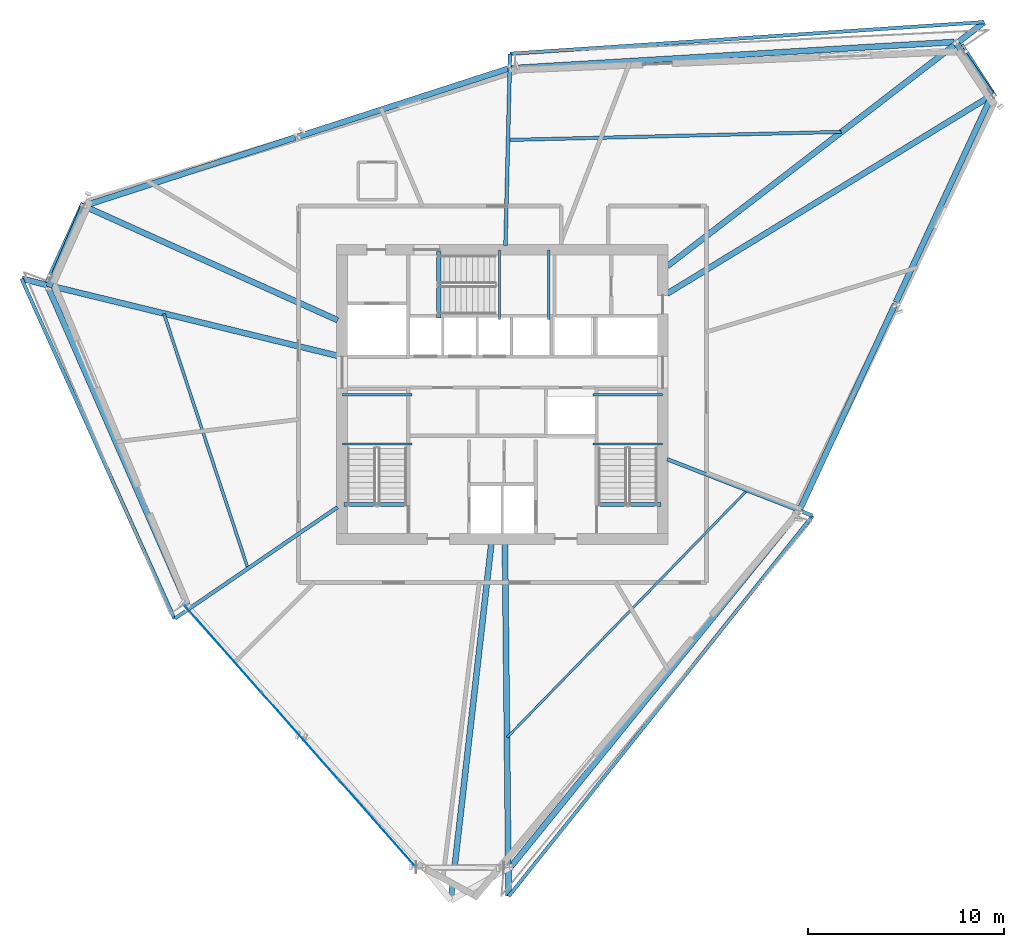
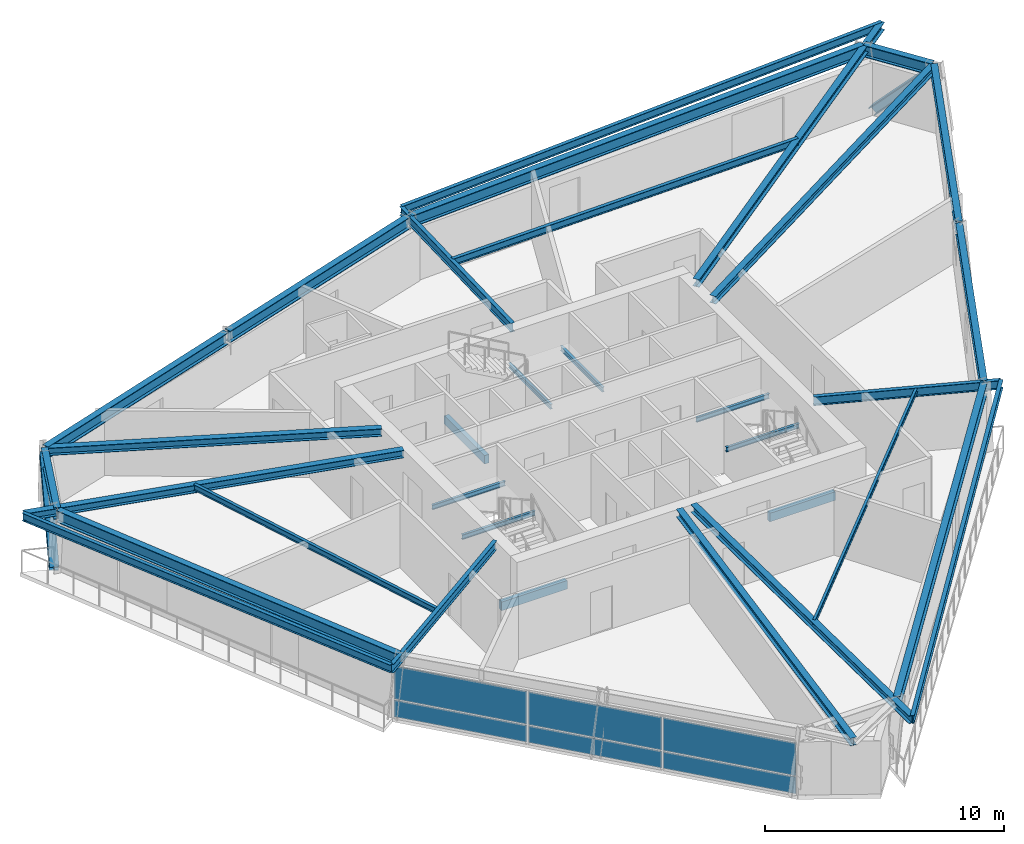
# One storey, part 4 of 13: 33 beams, 6 plates, 2 members, 1 element without a shape of its own.
"""IFC4 building model written with IfcOpenShell, lengths in metres."""

from ifc_helpers import new_model, si_unit, direction, frame, origin, origin_2d, place, context, subcontext, project, spatial, rectangle, i_section, extrude, source, transform, mapped, material, material_profile, profile_set, type_object, element, aggregate, save


model = new_model("IFC4")

# Units and contexts
model_context = context("Model", 3, precision=1e-05, world=origin(), true_north=direction((0.0, 1.0)))
body_context = subcontext(model_context, "Body", "Model", "MODEL_VIEW")
ifc_project = project(units=[si_unit("LENGTHUNIT", "METRE"), si_unit("AREAUNIT", "SQUARE_METRE"), si_unit("VOLUMEUNIT", "CUBIC_METRE"), si_unit("PLANEANGLEUNIT", "RADIAN"), si_unit("MASSUNIT", "GRAM", prefix="KILO")], contexts=[model_context])

# Site, building, storey
site_placement = place(None, origin())
site = spatial("IfcSite", under=ifc_project, at=site_placement, CompositionType="ELEMENT")
building_placement = place(site_placement, origin())
building = spatial("IfcBuilding", under=site, at=building_placement, Name="Olszyna Solenne Hotel", CompositionType="ELEMENT")
storey_placement = place(building_placement, frame((0.0, 0.0, 171.449951171875)))
storey = spatial("IfcBuildingStorey", under=building, at=storey_placement, Name="L45", CompositionType="ELEMENT", Elevation=171.449951171875)

# Beams
ifc_material_1 = material(Name="Steel S355J2", Category="steel")
ifc_material_profile_1 = material_profile(ifc_material_1, i_section(OverallWidth=0.300048828125, OverallDepth=0.60009765625, WebThickness=0.015380859375, FlangeThickness=0.030029296875, at=origin_2d()), Name="HEB 600", Category="load-bearing")
ifc_profile_set_1 = profile_set([ifc_material_profile_1], Name="Steel S355J2")
beam_type_1 = type_object("IfcBeamType", Name="BM-S2", PredefinedType="BEAM", material=ifc_profile_set_1)
shared_shape_1 = source(origin(), body_context, "Body", "SweptSolid", [
    extrude(i_section(OverallWidth=0.300048828125, OverallDepth=0.60009765625, WebThickness=0.015380859375, FlangeThickness=0.030029296875, at=origin_2d()), origin(), (0.0, 0.0, 1.0), 3.1708984375),
])
beam_1_placement = place(storey_placement, frame((62.93115234375, 41.907470703125, 3.030029296875), z_axis=(-0.564222871561, 0.825622523438, 0.0), x_axis=(-0.825622523438, -0.564222871561, 0.0)))
element("IfcBeam", 1, at=beam_1_placement, inside=storey, type_object=beam_type_1, Name="Perimeter spandrel beam BM-S2 B-L45-1334", PredefinedType="BEAM", context=body_context, shape_type="MappedRepresentation", body=[
    mapped(shared_shape_1, transform((0.0, 0.0, 0.0), x_axis=(1.0, 0.0, 0.0), y_axis=(0.0, 1.0, 0.0), z_axis=(0.0, 0.0, 1.0), scale=1.0)),
])
shared_shape_2 = source(origin(), body_context, "Body", "SweptSolid", [
    extrude(i_section(OverallWidth=0.300048828125, OverallDepth=0.60009765625, WebThickness=0.015380859375, FlangeThickness=0.030029296875, at=origin_2d()), origin(), (0.0, 0.0, 1.0), 22.68310546875),
])
beam_2_placement = place(storey_placement, frame((61.048095703125, 44.5712890625, 3.030029296875), z_axis=(-0.998251435313, -0.059110674977, 0.0), x_axis=(0.059110674977, -0.998251435313, 0.0)))
element("IfcBeam", 2, at=beam_2_placement, inside=storey, type_object=beam_type_1, Name="Perimeter spandrel beam BM-S2 B-L45-1335", PredefinedType="BEAM", context=body_context, shape_type="MappedRepresentation", body=[
    mapped(shared_shape_2, transform((0.0, 0.0, 0.0), x_axis=(1.0, 0.0, 0.0), y_axis=(0.0, 1.0, 0.0), z_axis=(0.0, 0.0, 1.0), scale=1.0)),
])
shared_shape_3 = source(origin(), body_context, "Body", "SweptSolid", [
    extrude(i_section(OverallWidth=0.300048828125, OverallDepth=0.60009765625, WebThickness=0.015380859375, FlangeThickness=0.030029296875, at=origin_2d()), origin(), (0.0, 0.0, 1.0), 11.28173828125),
])
for number, where, z_axis, x_axis, name in (
    (3, (38.28759765625, 43.20849609375, 3.030029296875), (-0.951496885189, -0.307658377874, 0.0), (0.307658377874, -0.951496885189, 0.0), "Perimeter spandrel beam BM-S2 B-L45-1336"),
    (4, (27.43896484375, 39.70068359375, 3.030029296875), (-0.951496885189, -0.307658377874, 0.0), (0.307658377874, -0.951496885189, 0.0), "Perimeter spandrel beam BM-S2 B-L45-1337"),
):
    element("IfcBeam", number, at=place(storey_placement, frame(where, z_axis=z_axis, x_axis=x_axis)), inside=storey, type_object=beam_type_1, Name=name, PredefinedType="BEAM", context=body_context, shape_type="MappedRepresentation", body=[
        mapped(shared_shape_3, transform((0.0, 0.0, 0.0), x_axis=(1.0, 0.0, 0.0), y_axis=(0.0, 1.0, 0.0), z_axis=(0.0, 0.0, 1.0), scale=1.0)),
    ])
shared_shape_4 = source(origin(), body_context, "Body", "SweptSolid", [
    extrude(i_section(OverallWidth=0.300048828125, OverallDepth=0.60009765625, WebThickness=0.015380859375, FlangeThickness=0.030029296875, at=origin_2d()), origin(), (0.0, 0.0, 1.0), 4.44091796875),
])
beam_3_placement = place(storey_placement, frame((16.623779296875, 36.156005859375, 3.030029296875), z_axis=(-0.393906028368, -0.919150717138, 0.0), x_axis=(0.919150717138, -0.393906028368, 0.0)))
element("IfcBeam", 5, at=beam_3_placement, inside=storey, type_object=beam_type_1, Name="Perimeter spandrel beam BM-S2 B-L45-1338", PredefinedType="BEAM", context=body_context, shape_type="MappedRepresentation", body=[
    mapped(shared_shape_4, transform((0.0, 0.0, 0.0), x_axis=(1.0, 0.0, 0.0), y_axis=(0.0, 1.0, 0.0), z_axis=(0.0, 0.0, 1.0), scale=1.0)),
])
shared_shape_5 = source(origin(), body_context, "Body", "SweptSolid", [
    extrude(i_section(OverallWidth=0.300048828125, OverallDepth=0.60009765625, WebThickness=0.015380859375, FlangeThickness=0.030029296875, at=origin_2d()), origin(), (0.0, 0.0, 1.0), 17.733642578125),
])
beam_4_placement = place(storey_placement, frame((14.875, 31.964111328125, 3.030029296875), z_axis=(0.401244173803, -0.91597113109, 0.0), x_axis=(0.91597113109, 0.401244173803, 0.0)))
element("IfcBeam", 6, at=beam_4_placement, inside=storey, type_object=beam_type_1, Name="Perimeter spandrel beam BM-S2 B-L45-1339", PredefinedType="BEAM", context=body_context, shape_type="MappedRepresentation", body=[
    mapped(shared_shape_5, transform((0.0, 0.0, 0.0), x_axis=(1.0, 0.0, 0.0), y_axis=(0.0, 1.0, 0.0), z_axis=(0.0, 0.0, 1.0), scale=1.0)),
])
shared_shape_6 = source(origin(), body_context, "Body", "SweptSolid", [
    extrude(i_section(OverallWidth=0.300048828125, OverallDepth=0.60009765625, WebThickness=0.015380859375, FlangeThickness=0.030029296875, at=origin_2d()), origin(), (0.0, 0.0, 1.0), 23.258056640625),
])
beam_5_placement = place(storey_placement, frame((38.448974609375, 2.534423828125, 3.030029296875), z_axis=(0.62981103051, 0.776748392884, 0.0), x_axis=(-0.776748392884, 0.62981103051, 0.0)))
element("IfcBeam", 7, at=beam_5_placement, inside=storey, type_object=beam_type_1, Name="Perimeter spandrel beam BM-S2 B-L45-1343", PredefinedType="BEAM", context=body_context, shape_type="MappedRepresentation", body=[
    mapped(shared_shape_6, transform((0.0, 0.0, 0.0), x_axis=(1.0, 0.0, 0.0), y_axis=(0.0, 1.0, 0.0), z_axis=(0.0, 0.0, 1.0), scale=1.0)),
])
shared_shape_7 = source(origin(), body_context, "Body", "SweptSolid", [
    extrude(i_section(OverallWidth=0.300048828125, OverallDepth=0.60009765625, WebThickness=0.015380859375, FlangeThickness=0.030029296875, at=origin_2d()), origin(), (0.0, 0.0, 1.0), 11.5693359375),
])
for number, where, z_axis, x_axis, name in (
    (8, (53.16015625, 20.701171875, 3.030029296875), (0.42048685843, 0.907298628836, 0.0), (-0.907298628836, 0.42048685843, 0.0), "Perimeter spandrel beam BM-S2 B-L45-1344"),
    (9, (58.0751953125, 31.306640625, 3.030029296875), (0.420469486879, 0.907306679466, 0.0), (-0.907306679466, 0.420469486879, 0.0), "Perimeter spandrel beam BM-S2 B-L45-1345"),
):
    element("IfcBeam", number, at=place(storey_placement, frame(where, z_axis=z_axis, x_axis=x_axis)), inside=storey, type_object=beam_type_1, Name=name, PredefinedType="BEAM", context=body_context, shape_type="MappedRepresentation", body=[
        mapped(shared_shape_7, transform((0.0, 0.0, 0.0), x_axis=(1.0, 0.0, 0.0), y_axis=(0.0, 1.0, 0.0), z_axis=(0.0, 0.0, 1.0), scale=1.0)),
    ])
ifc_material_profile_2 = material_profile(ifc_material_1, i_section(OverallWidth=0.300048828125, OverallDepth=0.389892578125, WebThickness=0.010986328125, FlangeThickness=0.01904296875, at=origin_2d()), Name="HEA 400", Category="load-bearing")
ifc_profile_set_2 = profile_set([ifc_material_profile_2], Name="Steel S355J2")
beam_type_2 = type_object("IfcBeamType", Name="BM-G2", PredefinedType="BEAM", material=ifc_profile_set_2)
shared_shape_8 = source(origin(), body_context, "Body", "SweptSolid", [
    extrude(i_section(OverallWidth=0.300048828125, OverallDepth=0.389892578125, WebThickness=0.010986328125, FlangeThickness=0.01904296875, at=origin_2d()), origin(), (0.0, 0.0, 1.0), 19.345458984375),
])
beam_6_placement = place(storey_placement, frame((62.913818359375, 41.82666015625, 3.135009765625), z_axis=(-0.853258435955, -0.521488294664, 0.0), x_axis=(0.521488294664, -0.853258435955, 0.0)))
element("IfcBeam", 10, at=beam_6_placement, inside=storey, type_object=beam_type_2, Name="Radial floor girder BM-G2 B-L45-1346", PredefinedType="BEAM", context=body_context, shape_type="MappedRepresentation", body=[
    mapped(shared_shape_8, transform((0.0, 0.0, 0.0), x_axis=(1.0, 0.0, 0.0), y_axis=(0.0, 1.0, 0.0), z_axis=(0.0, 0.0, 1.0), scale=1.0)),
])
shared_shape_9 = source(origin(), body_context, "Body", "SweptSolid", [
    extrude(i_section(OverallWidth=0.300048828125, OverallDepth=0.389892578125, WebThickness=0.010986328125, FlangeThickness=0.01904296875, at=origin_2d()), origin(), (0.0, 0.0, 1.0), 20.37890625),
])
beam_7_placement = place(storey_placement, frame((62.557861328125, 45.574462890625, 3.135009765625), z_axis=(-0.792357146713, -0.610057498973, 0.0), x_axis=(0.610057498973, -0.792357146713, 0.0)))
element("IfcBeam", 11, at=beam_7_placement, inside=storey, type_object=beam_type_2, Name="Radial floor girder BM-G2 B-L45-1347", PredefinedType="BEAM", context=body_context, shape_type="MappedRepresentation", body=[
    mapped(shared_shape_9, transform((0.0, 0.0, 0.0), x_axis=(1.0, 0.0, 0.0), y_axis=(0.0, 1.0, 0.0), z_axis=(0.0, 0.0, 1.0), scale=1.0)),
])
ifc_material_profile_3 = material_profile(ifc_material_1, i_section(OverallWidth=0.18994140625, OverallDepth=0.449951171875, WebThickness=0.009521484375, FlangeThickness=0.0146484375, at=origin_2d()), Name="IPE 450", Category="load-bearing")
ifc_profile_set_3 = profile_set([ifc_material_profile_3], Name="Steel S355J2")
beam_type_3 = type_object("IfcBeamType", Name="BM-F4", PredefinedType="BEAM", material=ifc_profile_set_3)
shared_shape_10 = source(origin(), body_context, "Body", "SweptSolid", [
    extrude(i_section(OverallWidth=0.18994140625, OverallDepth=0.449951171875, WebThickness=0.009521484375, FlangeThickness=0.0146484375, at=origin_2d()), origin(), (0.0, 0.0, 1.0), 9.7548828125),
])
beam_8_placement = place(storey_placement, frame((38.3916015625, 43.951904296875, 3.10498046875), z_axis=(-0.024001695603, -0.999711917808, 0.0), x_axis=(0.999711917808, -0.024001695603, 0.0)))
element("IfcBeam", 12, at=beam_8_placement, inside=storey, type_object=beam_type_3, Name="Radial floor girder BM-F4 B-L45-1348", PredefinedType="BEAM", context=body_context, shape_type="MappedRepresentation", body=[
    mapped(shared_shape_10, transform((0.0, 0.0, 0.0), x_axis=(1.0, 0.0, 0.0), y_axis=(0.0, 1.0, 0.0), z_axis=(0.0, 0.0, 1.0), scale=1.0)),
])
shared_shape_11 = source(origin(), body_context, "Body", "SweptSolid", [
    extrude(i_section(OverallWidth=0.300048828125, OverallDepth=0.389892578125, WebThickness=0.010986328125, FlangeThickness=0.01904296875, at=origin_2d()), origin(), (0.0, 0.0, 1.0), 14.1396484375),
])
beam_9_placement = place(storey_placement, frame((16.701904296875, 36.1865234375, 3.135009765625), z_axis=(0.911888225846, -0.410438623381, 0.0), x_axis=(0.410438623381, 0.911888225846, 0.0)))
element("IfcBeam", 13, at=beam_9_placement, inside=storey, type_object=beam_type_2, Name="Radial floor girder BM-G2 B-L45-1349", PredefinedType="BEAM", context=body_context, shape_type="MappedRepresentation", body=[
    mapped(shared_shape_11, transform((0.0, 0.0, 0.0), x_axis=(1.0, 0.0, 0.0), y_axis=(0.0, 1.0, 0.0), z_axis=(0.0, 0.0, 1.0), scale=1.0)),
])
shared_shape_12 = source(origin(), body_context, "Body", "SweptSolid", [
    extrude(i_section(OverallWidth=0.300048828125, OverallDepth=0.389892578125, WebThickness=0.010986328125, FlangeThickness=0.01904296875, at=origin_2d()), origin(), (0.0, 0.0, 1.0), 16.57080078125),
])
beam_10_placement = place(storey_placement, frame((13.49951171875, 32.49267578125, 3.135009765625), z_axis=(0.971528527841, -0.236922602533, 0.0), x_axis=(0.236922602533, 0.971528527841, 0.0)))
element("IfcBeam", 14, at=beam_10_placement, inside=storey, type_object=beam_type_2, Name="Radial floor girder BM-G2 B-L45-1350", PredefinedType="BEAM", context=body_context, shape_type="MappedRepresentation", body=[
    mapped(shared_shape_12, transform((0.0, 0.0, 0.0), x_axis=(1.0, 0.0, 0.0), y_axis=(0.0, 1.0, 0.0), z_axis=(0.0, 0.0, 1.0), scale=1.0)),
])
shared_shape_13 = source(origin(), body_context, "Body", "SweptSolid", [
    extrude(i_section(OverallWidth=0.18994140625, OverallDepth=0.449951171875, WebThickness=0.009521484375, FlangeThickness=0.0146484375, at=origin_2d()), origin(), (0.0, 0.0, 1.0), 10.050537109375),
])
beam_11_placement = place(storey_placement, frame((21.298095703125, 15.1708984375, 3.10498046875), z_axis=(0.825159467071, 0.564899861837, 0.0), x_axis=(-0.564899861837, 0.825159467071, 0.0)))
element("IfcBeam", 15, at=beam_11_placement, inside=storey, type_object=beam_type_3, Name="Radial floor girder BM-F4 B-L45-1351", PredefinedType="BEAM", context=body_context, shape_type="MappedRepresentation", body=[
    mapped(shared_shape_13, transform((0.0, 0.0, 0.0), x_axis=(1.0, 0.0, 0.0), y_axis=(0.0, 1.0, 0.0), z_axis=(0.0, 0.0, 1.0), scale=1.0)),
])
shared_shape_14 = source(origin(), body_context, "Body", "SweptSolid", [
    extrude(i_section(OverallWidth=0.300048828125, OverallDepth=0.389892578125, WebThickness=0.010986328125, FlangeThickness=0.01904296875, at=origin_2d()), origin(), (0.0, 0.0, 1.0), 18.297119140625),
])
beam_12_placement = place(storey_placement, frame((35.371337890625, 0.81982421875, 3.135009765625), z_axis=(0.112935435094, 0.993602328651, 0.0), x_axis=(-0.993602328651, 0.112935435094, 0.0)))
element("IfcBeam", 16, at=beam_12_placement, inside=storey, type_object=beam_type_2, Name="Radial floor girder BM-G2 B-L45-1352", PredefinedType="BEAM", context=body_context, shape_type="MappedRepresentation", body=[
    mapped(shared_shape_14, transform((0.0, 0.0, 0.0), x_axis=(1.0, 0.0, 0.0), y_axis=(0.0, 1.0, 0.0), z_axis=(0.0, 0.0, 1.0), scale=1.0)),
])
shared_shape_15 = source(origin(), body_context, "Body", "SweptSolid", [
    extrude(i_section(OverallWidth=0.300048828125, OverallDepth=0.389892578125, WebThickness=0.010986328125, FlangeThickness=0.01904296875, at=origin_2d()), origin(), (0.0, 0.0, 1.0), 17.9833984375),
])
beam_13_placement = place(storey_placement, frame((38.316162109375, 1.017578125, 3.135009765625), z_axis=(-0.010371984687, 0.99994620952, 0.0), x_axis=(-0.99994620952, -0.010371984687, 0.0)))
element("IfcBeam", 17, at=beam_13_placement, inside=storey, type_object=beam_type_2, Name="Radial floor girder BM-G2 B-L45-1353", PredefinedType="BEAM", context=body_context, shape_type="MappedRepresentation", body=[
    mapped(shared_shape_15, transform((0.0, 0.0, 0.0), x_axis=(1.0, 0.0, 0.0), y_axis=(0.0, 1.0, 0.0), z_axis=(0.0, 0.0, 1.0), scale=1.0)),
])
shared_shape_16 = source(origin(), body_context, "Body", "SweptSolid", [
    extrude(i_section(OverallWidth=0.18994140625, OverallDepth=0.449951171875, WebThickness=0.009521484375, FlangeThickness=0.0146484375, at=origin_2d()), origin(), (0.0, 0.0, 1.0), 7.938720703125),
])
beam_14_placement = place(storey_placement, frame((53.801513671875, 20.4150390625, 3.10498046875), z_axis=(-0.931891506164, 0.362737123464, 0.0), x_axis=(-0.362737123464, -0.931891506164, 0.0)))
element("IfcBeam", 18, at=beam_14_placement, inside=storey, type_object=beam_type_3, Name="Radial floor girder BM-F4 B-L45-1354", PredefinedType="BEAM", context=body_context, shape_type="MappedRepresentation", body=[
    mapped(shared_shape_16, transform((0.0, 0.0, 0.0), x_axis=(1.0, 0.0, 0.0), y_axis=(0.0, 1.0, 0.0), z_axis=(0.0, 0.0, 1.0), scale=1.0)),
])
ifc_material_profile_4 = material_profile(ifc_material_1, i_section(OverallWidth=0.169921875, OverallDepth=0.360107421875, WebThickness=0.008056640625, FlangeThickness=0.0126953125, at=origin_2d()), Name="IPE 360", Category="load-bearing")
ifc_profile_set_4 = profile_set([ifc_material_profile_4], Name="Steel S355J2")
beam_type_4 = type_object("IfcBeamType", Name="JS-01", PredefinedType="JOIST", material=ifc_profile_set_4)
shared_shape_17 = source(origin(), body_context, "Body", "SweptSolid", [
    extrude(i_section(OverallWidth=0.169921875, OverallDepth=0.360107421875, WebThickness=0.008056640625, FlangeThickness=0.0126953125, at=origin_2d()), origin(), (0.0, 0.0, 1.0), 16.978759765625),
])
beam_15_placement = place(storey_placement, frame((55.2802734375, 39.986083984375, 3.150146484375), z_axis=(-0.999707136381, -0.024200030356, 0.0), x_axis=(0.024200030356, -0.999707136381, 0.0)))
element("IfcBeam", 19, at=beam_15_placement, inside=storey, type_object=beam_type_4, Name="Secondary composite floor joist JS-01 B-L45-1357", PredefinedType="JOIST", context=body_context, shape_type="MappedRepresentation", body=[
    mapped(shared_shape_17, transform((0.0, 0.0, 0.0), x_axis=(1.0, 0.0, 0.0), y_axis=(0.0, 1.0, 0.0), z_axis=(0.0, 0.0, 1.0), scale=1.0)),
])
ifc_material_profile_5 = material_profile(ifc_material_1, i_section(OverallWidth=0.14990234375, OverallDepth=0.300048828125, WebThickness=0.007080078125, FlangeThickness=0.0107421875, at=origin_2d()), Name="IPE 300", Category="load-bearing")
ifc_profile_set_5 = profile_set([ifc_material_profile_5], Name="Steel S355J2")
beam_type_5 = type_object("IfcBeamType", Name="JS-02", PredefinedType="JOIST", material=ifc_profile_set_5)
shared_shape_18 = source(origin(), body_context, "Body", "SweptSolid", [
    extrude(i_section(OverallWidth=0.14990234375, OverallDepth=0.300048828125, WebThickness=0.007080078125, FlangeThickness=0.0107421875, at=origin_2d()), origin(), (0.0, 0.0, 1.0), 13.6572265625),
])
beam_16_placement = place(storey_placement, frame((20.73974609375, 30.70947265625, 3.179931640625), z_axis=(0.313013586364, -0.949748648197, 0.0), x_axis=(0.949748648197, 0.313013586364, 0.0)))
element("IfcBeam", 20, at=beam_16_placement, inside=storey, type_object=beam_type_5, Name="Secondary composite floor joist JS-02 B-L45-1358", PredefinedType="JOIST", context=body_context, shape_type="MappedRepresentation", body=[
    mapped(shared_shape_18, transform((0.0, 0.0, 0.0), x_axis=(1.0, 0.0, 0.0), y_axis=(0.0, 1.0, 0.0), z_axis=(0.0, 0.0, 1.0), scale=1.0)),
])
ifc_material_profile_6 = material_profile(ifc_material_1, i_section(OverallWidth=0.1201171875, OverallDepth=0.239990234375, WebThickness=0.006103515625, FlangeThickness=0.009765625, at=origin_2d()), Name="IPE 240", Category="load-bearing")
ifc_profile_set_6 = profile_set([ifc_material_profile_6], Name="Steel S355J2")
beam_type_6 = type_object("IfcBeamType", Name="JS-03", PredefinedType="JOIST", material=ifc_profile_set_6)
shared_shape_19 = source(origin(), body_context, "Body", "SweptSolid", [
    extrude(i_section(OverallWidth=0.1201171875, OverallDepth=0.239990234375, WebThickness=0.006103515625, FlangeThickness=0.009765625, at=origin_2d()), origin(), (0.0, 0.0, 1.0), 17.53955078125),
])
beam_17_placement = place(storey_placement, frame((38.24609375, 9.113037109375, 3.2099609375), z_axis=(0.696865478806, 0.717201857532, 0.0), x_axis=(-0.717201857532, 0.696865478806, 0.0)))
element("IfcBeam", 21, at=beam_17_placement, inside=storey, type_object=beam_type_6, Name="Secondary composite floor joist JS-03 B-L45-1359", PredefinedType="JOIST", context=body_context, shape_type="MappedRepresentation", body=[
    mapped(shared_shape_19, transform((0.0, 0.0, 0.0), x_axis=(1.0, 0.0, 0.0), y_axis=(0.0, 1.0, 0.0), z_axis=(0.0, 0.0, 1.0), scale=1.0)),
])
ifc_material_profile_7 = material_profile(ifc_material_1, i_section(OverallWidth=0.179931640625, OverallDepth=0.39990234375, WebThickness=0.008544921875, FlangeThickness=0.013427734375, at=origin_2d()), Name="IPE 400", Category="load-bearing")
ifc_profile_set_7 = profile_set([ifc_material_profile_7], Name="Steel S355J2")
beam_type_7 = type_object("IfcBeamType", Name="BM-F5", PredefinedType="BEAM", material=ifc_profile_set_7)
shared_shape_20 = source(origin(), body_context, "Body", "SweptSolid", [
    extrude(i_section(OverallWidth=0.179931640625, OverallDepth=0.39990234375, WebThickness=0.008544921875, FlangeThickness=0.013427734375, at=origin_2d()), origin(), (0.0, 0.0, 1.0), 24.235595703125),
])
beam_18_placement = place(storey_placement, frame((62.57373046875, 45.586669921875, 3.130126953125), z_axis=(-0.997777931021, -0.066627324487, 0.0), x_axis=(0.066627324487, -0.997777931021, 0.0)))
element("IfcBeam", 22, at=beam_18_placement, inside=storey, type_object=beam_type_7, Name="Loggia outer edge beam BM-F5 B-L45-1360", PredefinedType="BEAM", context=body_context, shape_type="MappedRepresentation", body=[
    mapped(shared_shape_20, transform((0.0, 0.0, 0.0), x_axis=(1.0, 0.0, 0.0), y_axis=(0.0, 1.0, 0.0), z_axis=(0.0, 0.0, 1.0), scale=1.0)),
])
shared_shape_21 = source(origin(), body_context, "Body", "SweptSolid", [
    extrude(i_section(OverallWidth=0.179931640625, OverallDepth=0.39990234375, WebThickness=0.008544921875, FlangeThickness=0.013427734375, at=origin_2d()), origin(), (0.0, 0.0, 1.0), 19.01220703125),
])
beam_19_placement = place(storey_placement, frame((13.47998046875, 32.497314453125, 3.130126953125), z_axis=(0.410356668184, -0.911925109248, 0.0), x_axis=(0.911925109248, 0.410356668184, 0.0)))
element("IfcBeam", 23, at=beam_19_placement, inside=storey, type_object=beam_type_7, Name="Loggia outer edge beam BM-F5 B-L45-1361", PredefinedType="BEAM", context=body_context, shape_type="MappedRepresentation", body=[
    mapped(shared_shape_21, transform((0.0, 0.0, 0.0), x_axis=(1.0, 0.0, 0.0), y_axis=(0.0, 1.0, 0.0), z_axis=(0.0, 0.0, 1.0), scale=1.0)),
])
shared_shape_22 = source(origin(), body_context, "Body", "SweptSolid", [
    extrude(i_section(OverallWidth=0.179931640625, OverallDepth=0.39990234375, WebThickness=0.008544921875, FlangeThickness=0.013427734375, at=origin_2d()), origin(), (0.0, 0.0, 1.0), 24.842041015625),
])
beam_20_placement = place(storey_placement, frame((38.31640625, 0.99755859375, 3.130126953125), z_axis=(0.62410040849, 0.781344149606, 0.0), x_axis=(-0.781344149606, 0.62410040849, 0.0)))
element("IfcBeam", 24, at=beam_20_placement, inside=storey, type_object=beam_type_7, Name="Loggia outer edge beam BM-F5 B-L45-1362", PredefinedType="BEAM", context=body_context, shape_type="MappedRepresentation", body=[
    mapped(shared_shape_22, transform((0.0, 0.0, 0.0), x_axis=(1.0, 0.0, 0.0), y_axis=(0.0, 1.0, 0.0), z_axis=(0.0, 0.0, 1.0), scale=1.0)),
])

# Members
ifc_material_2 = material(Name="Steel S460M", Category="steel")
ifc_material_profile_8 = material_profile(ifc_material_2, i_section(OverallWidth=0.406005859375, OverallDepth=0.416015625, WebThickness=0.026611328125, FlangeThickness=0.04150390625, at=origin_2d()), Name="HD 400x382", Category="load-bearing")
ifc_profile_set_8 = profile_set([ifc_material_profile_8], Name="Steel S460M")
member_type = type_object("IfcMemberType", Name="BR-T2", PredefinedType="BRACE", material=ifc_profile_set_8)
shared_shape_23 = source(origin(), body_context, "Body", "SweptSolid", [
    extrude(i_section(OverallWidth=0.406005859375, OverallDepth=0.416015625, WebThickness=0.026611328125, FlangeThickness=0.04150390625, at=origin_2d()), origin(), (0.0, 0.0, 1.0), 4.131591796875),
])
member_1_placement = place(storey_placement, frame((61.41357421875, 44.250244140625, 0.010009765625), z_axis=(0.3755195132, -0.579026862289, 0.723680169656), x_axis=(0.839004601341, 0.544124323045, 0.0)))
element("IfcMember", 25, at=member_1_placement, inside=storey, type_object=member_type, Name="Perimeter braced-tube diagonal BR-T2 BR-L45-1", PredefinedType="BRACE", context=body_context, shape_type="MappedRepresentation", body=[
    mapped(shared_shape_23, transform((0.0, 0.0, 0.0), x_axis=(1.0, 0.0, 0.0), y_axis=(0.0, 1.0, 0.0), z_axis=(0.0, 0.0, 1.0), scale=1.0)),
])
shared_shape_24 = source(origin(), body_context, "Body", "SweptSolid", [
    extrude(i_section(OverallWidth=0.406005859375, OverallDepth=0.416015625, WebThickness=0.026611328125, FlangeThickness=0.04150390625, at=origin_2d()), origin(), (0.0, 0.0, 1.0), 5.17578125),
])
member_2_placement = place(storey_placement, frame((14.896728515625, 32.3662109375, 0.010009765625), z_axis=(0.338211719908, 0.742886523966, 0.577695806655), x_axis=(-0.91011893037, 0.414347116055, 0.0)))
element("IfcMember", 26, at=member_2_placement, inside=storey, type_object=member_type, Name="Perimeter braced-tube diagonal BR-T2 BR-L45-2", PredefinedType="BRACE", context=body_context, shape_type="MappedRepresentation", body=[
    mapped(shared_shape_24, transform((0.0, 0.0, 0.0), x_axis=(1.0, 0.0, 0.0), y_axis=(0.0, 1.0, 0.0), z_axis=(0.0, 0.0, 1.0), scale=1.0)),
])

# Beams
shared_shape_25 = source(origin(), body_context, "Body", "SweptSolid", [
    extrude(i_section(OverallWidth=0.1201171875, OverallDepth=0.239990234375, WebThickness=0.006103515625, FlangeThickness=0.009765625, at=origin_2d()), origin(), (0.0, 0.0, 1.0), 3.539794921875),
])
for number, where, z_axis, x_axis, name in (
    (27, (33.3798828125, 24.070068359375, 1.449951171875), (-1.0, 0.0, 0.0), (0.0, -1.0, 0.0), "Stair landing support beam JS-03 SLB-ST1-0095"),
    (28, (33.3798828125, 26.580078125, 1.449951171875), (-1.0, 0.0, 0.0), (0.0, -1.0, 0.0), "Stair landing support beam JS-03 SLB-ST1-0096"),
    (29, (46.159912109375, 24.070068359375, 1.449951171875), (-1.0, 0.0, 0.0), (0.0, -1.0, 0.0), "Stair landing support beam JS-03 SLB-ST2-0335"),
    (30, (46.159912109375, 26.580078125, 1.449951171875), (-1.0, 0.0, 0.0), (0.0, -1.0, 0.0), "Stair landing support beam JS-03 SLB-ST2-0336"),
):
    element("IfcBeam", number, at=place(storey_placement, frame(where, z_axis=z_axis, x_axis=x_axis)), inside=storey, type_object=beam_type_6, Name=name, PredefinedType="JOIST", context=body_context, shape_type="MappedRepresentation", body=[
        mapped(shared_shape_25, transform((0.0, 0.0, 0.0), x_axis=(1.0, 0.0, 0.0), y_axis=(0.0, 1.0, 0.0), z_axis=(0.0, 0.0, 1.0), scale=1.0)),
    ])
ifc_material_3 = material(Name="Concrete C50/60", Category="concrete")
ifc_material_profile_9 = material_profile(ifc_material_3, rectangle(XDim=0.219970703125, YDim=0.43994140625, at=origin_2d()), Name="RC 220x440", Category="load-bearing")
ifc_profile_set_9 = profile_set([ifc_material_profile_9], Name="Concrete C50/60")
beam_type_8 = type_object("IfcBeamType", Name="BM-ST1", PredefinedType="BEAM", material=ifc_profile_set_9)
shared_shape_26 = source(origin(), body_context, "Body", "SweptSolid", [
    extrude(rectangle(XDim=0.219970703125, YDim=0.43994140625, at=origin_2d()), origin(), (0.0, 0.0, 1.0), 3.18017578125),
])
for number, where, z_axis, x_axis, name in (
    (31, (33.10009765625, 20.97998046875, -0.204833984375), (-1.0, 0.0, 0.0), (0.0, -1.0, 0.0), "Concrete stair trimmer beam BM-ST1 SHB-ST1-0207"),
    (32, (46.080078125, 20.97998046875, -0.204833984375), (-1.0, 0.0, 0.0), (0.0, -1.0, 0.0), "Concrete stair trimmer beam BM-ST1 SHB-ST2-0447"),
):
    element("IfcBeam", number, at=place(storey_placement, frame(where, z_axis=z_axis, x_axis=x_axis)), inside=storey, type_object=beam_type_8, Name=name, PredefinedType="BEAM", context=body_context, shape_type="MappedRepresentation", body=[
        mapped(shared_shape_26, transform((0.0, 0.0, 0.0), x_axis=(1.0, 0.0, 0.0), y_axis=(0.0, 1.0, 0.0), z_axis=(0.0, 0.0, 1.0), scale=1.0)),
    ])
shared_shape_27 = source(origin(), body_context, "Body", "SweptSolid", [
    extrude(i_section(OverallWidth=0.1201171875, OverallDepth=0.239990234375, WebThickness=0.006103515625, FlangeThickness=0.009765625, at=origin_2d()), origin(), (0.0, 0.0, 1.0), 3.5400390625),
])
for number, where, z_axis, x_axis, name in (
    (33, (37.85009765625, 30.419921875, 1.449951171875), (0.0, 1.0, 0.0), (-1.0, 0.0, 0.0), "Stair landing support beam JS-03 SLB-ST3-0575"),
    (34, (40.360107421875, 30.419921875, 1.449951171875), (0.0, 1.0, 0.0), (-1.0, 0.0, 0.0), "Stair landing support beam JS-03 SLB-ST3-0576"),
):
    element("IfcBeam", number, at=place(storey_placement, frame(where, z_axis=z_axis, x_axis=x_axis)), inside=storey, type_object=beam_type_6, Name=name, PredefinedType="JOIST", context=body_context, shape_type="MappedRepresentation", body=[
        mapped(shared_shape_27, transform((0.0, 0.0, 0.0), x_axis=(1.0, 0.0, 0.0), y_axis=(0.0, 1.0, 0.0), z_axis=(0.0, 0.0, 1.0), scale=1.0)),
    ])
shared_shape_28 = source(origin(), body_context, "Body", "SweptSolid", [
    extrude(rectangle(XDim=0.219970703125, YDim=0.43994140625, at=origin_2d()), origin(), (0.0, 0.0, 1.0), 3.3798828125),
])
beam_21_placement = place(storey_placement, frame((34.760009765625, 30.5, -0.204833984375), z_axis=(0.0, 1.0, 0.0), x_axis=(-1.0, 0.0, 0.0)))
element("IfcBeam", 35, at=beam_21_placement, inside=storey, type_object=beam_type_8, Name="Concrete stair trimmer beam BM-ST1 SHB-ST3-0685", PredefinedType="BEAM", context=body_context, shape_type="MappedRepresentation", body=[
    mapped(shared_shape_28, transform((0.0, 0.0, 0.0), x_axis=(1.0, 0.0, 0.0), y_axis=(0.0, 1.0, 0.0), z_axis=(0.0, 0.0, 1.0), scale=1.0)),
])

# Curtain wall, plates
ifc_material_4 = material(Name="Anodised bronze aluminium", Category="aluminium")
curtain_wall_type = type_object("IfcCurtainWallType", Name="CW-SYS-4", PredefinedType="NOTDEFINED", material=ifc_material_4)
curtain_wall_placement = place(storey_placement, origin())
curtain_wall = element("IfcCurtainWall", 36, at=curtain_wall_placement, inside=storey, type_object=curtain_wall_type, Name="Unitised curtain wall CW-SYS-4 CW-L45-01", PredefinedType="NOTDEFINED")
ifc_material_5 = material(Name="Terracotta cladding", Category="masonry")
plate_type_1 = type_object("IfcPlateType", Name="PN-SP1", PredefinedType="CURTAIN_PANEL", material=ifc_material_5)
shared_shape_29 = source(origin(), body_context, "Body", "SweptSolid", [
    extrude(rectangle(XDim=5.85986328125, YDim=0.035888671875, at=origin_2d()), origin(), (0.0, 0.0, 1.0), 0.8525390625),
])
plate_1_placement = place(storey_placement, frame((23.75, 13.6240234375, 0.06494140625), z_axis=(0.0, 0.0, 1.0), x_axis=(0.662628329857, -0.74894839373, 0.0)))
plate_1 = element("IfcPlate", 37, at=plate_1_placement, type_object=plate_type_1, Name="Curtain-wall panel PN-SP1 CP-L45-01-01", PredefinedType="CURTAIN_PANEL", context=body_context, shape_type="MappedRepresentation", body=[
    mapped(shared_shape_29, transform((0.0, 0.0, 0.0), x_axis=(1.0, 0.0, 0.0), y_axis=(0.0, 1.0, 0.0), z_axis=(0.0, 0.0, 1.0), scale=1.0)),
])
plate_2_placement = place(storey_placement, frame((31.623291015625, 4.724853515625, 0.06494140625), z_axis=(0.0, 0.0, 1.0), x_axis=(0.662628329857, -0.74894839373, 0.0)))
plate_2 = element("IfcPlate", 38, at=plate_2_placement, type_object=plate_type_1, Name="Curtain-wall panel PN-SP1 CP-L45-01-05", PredefinedType="CURTAIN_PANEL", context=body_context, shape_type="MappedRepresentation", body=[
    mapped(shared_shape_29, transform((0.0, 0.0, 0.0), x_axis=(1.0, 0.0, 0.0), y_axis=(0.0, 1.0, 0.0), z_axis=(0.0, 0.0, 1.0), scale=1.0)),
])
ifc_material_6 = material(Name="Low-E triple glazing", Category="glass")
plate_type_2 = type_object("IfcPlateType", Name="PN-GL1", PredefinedType="CURTAIN_PANEL", material=ifc_material_6)
shared_shape_30 = source(origin(), body_context, "Body", "SweptSolid", [
    extrude(rectangle(XDim=5.85986328125, YDim=0.035888671875, at=origin_2d()), origin(), (0.0, 0.0, 1.0), 1.674560546875),
])
plate_3_placement = place(storey_placement, frame((23.75, 13.6240234375, 0.982421875), z_axis=(0.0, 0.0, 1.0), x_axis=(0.662628329857, -0.74894839373, 0.0)))
plate_3 = element("IfcPlate", 39, at=plate_3_placement, type_object=plate_type_2, Name="Curtain-wall panel PN-GL1 CP-L45-01-02", PredefinedType="CURTAIN_PANEL", context=body_context, shape_type="MappedRepresentation", body=[
    mapped(shared_shape_30, transform((0.0, 0.0, 0.0), x_axis=(1.0, 0.0, 0.0), y_axis=(0.0, 1.0, 0.0), z_axis=(0.0, 0.0, 1.0), scale=1.0)),
])
plate_4_placement = place(storey_placement, frame((31.623291015625, 4.724853515625, 0.982421875), z_axis=(0.0, 0.0, 1.0), x_axis=(0.662628329857, -0.74894839373, 0.0)))
plate_4 = element("IfcPlate", 40, at=plate_4_placement, type_object=plate_type_2, Name="Curtain-wall panel PN-GL1 CP-L45-01-06", PredefinedType="CURTAIN_PANEL", context=body_context, shape_type="MappedRepresentation", body=[
    mapped(shared_shape_30, transform((0.0, 0.0, 0.0), x_axis=(1.0, 0.0, 0.0), y_axis=(0.0, 1.0, 0.0), z_axis=(0.0, 0.0, 1.0), scale=1.0)),
])
shared_shape_31 = source(origin(), body_context, "Body", "SweptSolid", [
    extrude(rectangle(XDim=5.892333984375, YDim=0.035888671875, at=origin_2d()), origin(), (0.0, 0.0, 1.0), 0.8525390625),
])
plate_5_placement = place(storey_placement, frame((27.686767578125, 9.174560546875, 0.06494140625), z_axis=(0.0, 0.0, 1.0), x_axis=(0.662628329857, -0.74894839373, 0.0)))
plate_5 = element("IfcPlate", 41, at=plate_5_placement, type_object=plate_type_1, Name="Curtain-wall panel PN-SP1 CP-L45-01-03", PredefinedType="CURTAIN_PANEL", context=body_context, shape_type="MappedRepresentation", body=[
    mapped(shared_shape_31, transform((0.0, 0.0, 0.0), x_axis=(1.0, 0.0, 0.0), y_axis=(0.0, 1.0, 0.0), z_axis=(0.0, 0.0, 1.0), scale=1.0)),
])
shared_shape_32 = source(origin(), body_context, "Body", "SweptSolid", [
    extrude(rectangle(XDim=5.892333984375, YDim=0.035888671875, at=origin_2d()), origin(), (0.0, 0.0, 1.0), 1.674560546875),
])
plate_6_placement = place(storey_placement, frame((27.686767578125, 9.174560546875, 0.982421875), z_axis=(0.0, 0.0, 1.0), x_axis=(0.662628329857, -0.74894839373, 0.0)))
plate_6 = element("IfcPlate", 42, at=plate_6_placement, type_object=plate_type_2, Name="Curtain-wall panel PN-GL1 CP-L45-01-04", PredefinedType="CURTAIN_PANEL", context=body_context, shape_type="MappedRepresentation", body=[
    mapped(shared_shape_32, transform((0.0, 0.0, 0.0), x_axis=(1.0, 0.0, 0.0), y_axis=(0.0, 1.0, 0.0), z_axis=(0.0, 0.0, 1.0), scale=1.0)),
])
aggregate(curtain_wall, [plate_1, plate_3, plate_5, plate_6, plate_2, plate_4])

save(model, "model.ifc")
